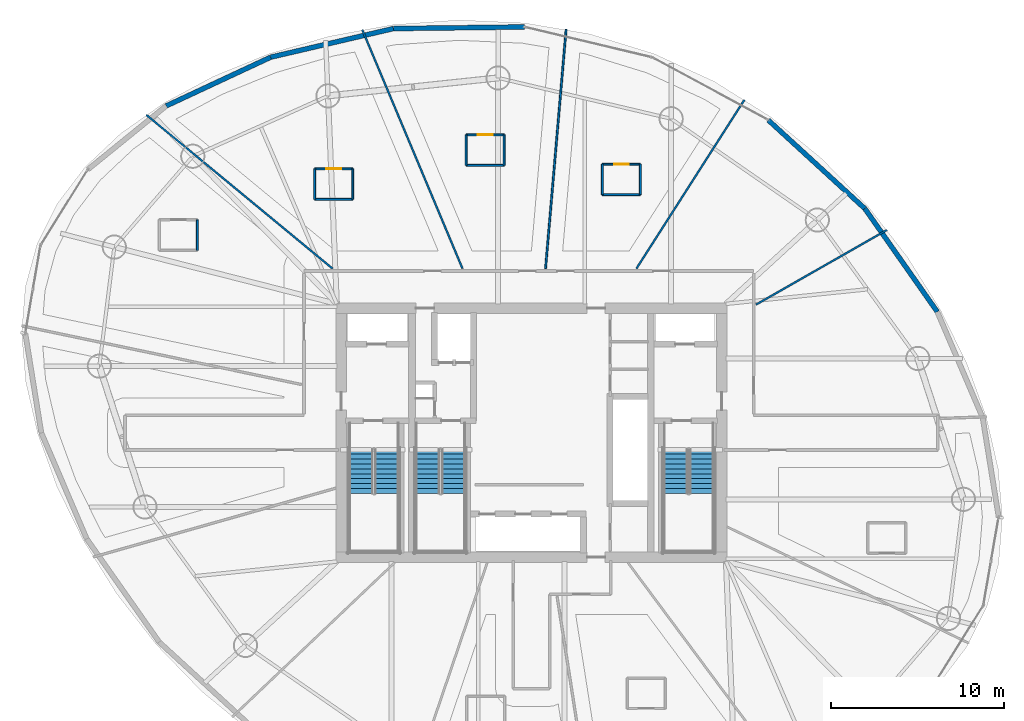
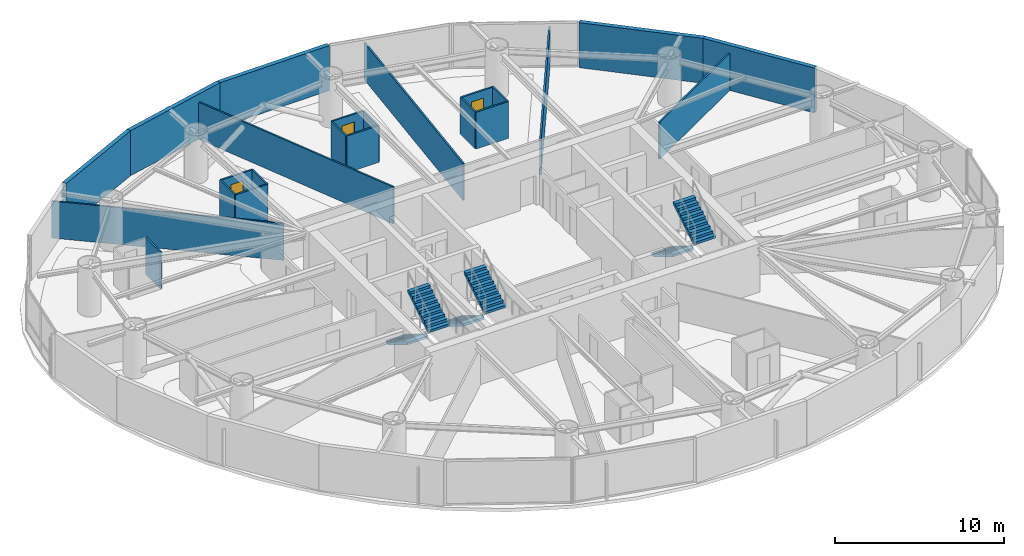
# One storey, part 18 of 22: 23 walls, 6 stair flights, 3 doors, 3 openings, 3 elements without a shape of their own.
"""IFC4 building model written with IfcOpenShell, lengths in metres."""

from ifc_helpers import new_model, si_unit, direction, frame, frame_2d, origin, place, context, subcontext, project, spatial, polyline, rectangle, outline, extrude, material, layer, layer_set, type_object, element, fill, aggregate, save


model = new_model("IFC4")

# Units and contexts
model_context = context("Model", 3, precision=1e-05, world=origin(), true_north=direction((0.0, 1.0)))
body_context = subcontext(model_context, "Body", "Model", "MODEL_VIEW")
ifc_project = project(units=[si_unit("LENGTHUNIT", "METRE"), si_unit("AREAUNIT", "SQUARE_METRE"), si_unit("VOLUMEUNIT", "CUBIC_METRE"), si_unit("PLANEANGLEUNIT", "RADIAN"), si_unit("MASSUNIT", "GRAM", prefix="KILO")], contexts=[model_context])

# Site, building, storey
site_placement = place(None, origin())
site = spatial("IfcSite", under=ifc_project, at=site_placement, CompositionType="ELEMENT")
building_placement = place(site_placement, origin())
building = spatial("IfcBuilding", under=site, at=building_placement, Name="Bramvorn Convention Spire", CompositionType="ELEMENT")
storey_placement = place(building_placement, frame((0.0, 0.0, 116.800048828125)))
storey = spatial("IfcBuildingStorey", under=building, at=storey_placement, Name="L28", CompositionType="ELEMENT", Elevation=116.800048828125)

# Walls
ifc_material_1 = material(Name="Precast Concrete C40/50 with Bronze Terracotta Rainscreen", Category="masonry")
ifc_layer_1 = layer(ifc_material_1, 0.300048828125)
ifc_layer_set_1 = layer_set([ifc_layer_1], Name="Precast Concrete C40/50 with Bronze Terracotta Rainscreen - WL-EXT-BRONZE-300")
wall_type_1 = type_object("IfcWallType", Name="WL-EXT-BRONZE-300", PredefinedType="SOLIDWALL", material=ifc_layer_set_1)
wall_1_placement = place(storey_placement, frame((57.281982421875, 38.960205078125, 0.0), z_axis=(0.0, 0.0, 1.0), x_axis=(0.574634715728, -0.818410009396, 0.0)))
element("IfcWall", 1, at=wall_1_placement, inside=storey, type_object=wall_type_1, Name="L28 expressed bronze Gothic lancet pier wall 04", PredefinedType="SOLIDWALL", context=body_context, shape_type="SweptSolid", body=[
    extrude(rectangle(XDim=7.2919921875, YDim=0.280029296875, at=frame_2d((3.64599609375, 0.0))), origin(), (0.0, 0.0, 1.0), 3.260009765625),
])
for number, where, z_axis, x_axis, name in (
    (2, (51.701416015625, 44.07373046875, 0.0), (0.0, 0.0, 1.0), (0.737285337307, -0.675581476502, 0.0), "L28 expressed bronze Gothic lancet pier wall 05"),
    (3, (30.02197265625, 49.36962890625, 0.0), (0.0, 0.0, 1.0), (0.999925278026, 0.012224498577, 0.0), "L28 expressed bronze Gothic lancet pier wall 08"),
):
    element("IfcWall", number, at=place(storey_placement, frame(where, z_axis=z_axis, x_axis=x_axis)), inside=storey, type_object=wall_type_1, Name=name, PredefinedType="SOLIDWALL", context=body_context, shape_type="SweptSolid", body=[
        extrude(rectangle(XDim=7.569091796875, YDim=0.280029296875, at=frame_2d((3.78466796875, 0.0))), origin(), (0.0, 0.0, 1.0), 3.260009765625),
    ])
wall_2_placement = place(storey_placement, frame((22.920654296875, 47.7138671875, 0.0), z_axis=(0.0, 0.0, 1.0), x_axis=(0.97387799493, 0.227071907093, 0.0)))
element("IfcWall", 4, at=wall_2_placement, inside=storey, type_object=wall_type_1, Name="L28 expressed bronze Gothic lancet pier wall 09", PredefinedType="SOLIDWALL", context=body_context, shape_type="SweptSolid", body=[
    extrude(rectangle(XDim=7.291748046875, YDim=0.280029296875, at=frame_2d((3.64599609375, 0.0))), origin(), (0.0, 0.0, 1.0), 3.260009765625),
])
wall_3_placement = place(storey_placement, frame((16.880615234375, 44.895751953125, 0.0), z_axis=(0.0, 0.0, 1.0), x_axis=(0.906215890007, 0.422815279642, 0.0)))
element("IfcWall", 5, at=wall_3_placement, inside=storey, type_object=wall_type_1, Name="L28 expressed bronze Gothic lancet pier wall 10", PredefinedType="SOLIDWALL", context=body_context, shape_type="SweptSolid", body=[
    extrude(rectangle(XDim=6.6650390625, YDim=0.280029296875, at=frame_2d((3.33251953125, 0.0))), origin(), (0.0, 0.0, 1.0), 3.260009765625),
])
ifc_material_2 = material(Name="Lightweight En-Suite & Wet-Wall Partition", Category="gypsum")
ifc_layer_2 = layer(ifc_material_2, 0.110107421875)
ifc_layer_set_2 = layer_set([ifc_layer_2], Name="Lightweight En-Suite & Wet-Wall Partition - WL-PART-110")
wall_type_2 = type_object("IfcWallType", Name="WL-PART-110", PredefinedType="PARTITIONING", material=ifc_layer_set_2)
wall_4_placement = place(storey_placement, frame((50.989990234375, 33.406982421875, 0.0), z_axis=(0.0, 0.0, 1.0), x_axis=(0.868694051494, 0.495349013221, 0.0)))
element("IfcWall", 6, at=wall_4_placement, inside=storey, type_object=wall_type_2, Name="L28 Guestroom demising wall 2", PredefinedType="PARTITIONING", context=body_context, shape_type="SweptSolid", body=[
    extrude(rectangle(XDim=8.72265625, YDim=0.110107421875, at=frame_2d((4.361328125, 0.0))), origin(), (0.0, 0.0, 1.0), 2.675048828125),
])
wall_5_placement = place(storey_placement, frame((44.07275390625, 35.489990234375, 0.0), z_axis=(0.0, 0.0, 1.0), x_axis=(0.538998120289, 0.842306966803, 0.0)))
element("IfcWall", 7, at=wall_5_placement, inside=storey, type_object=wall_type_2, Name="L28 Guestroom demising wall 3", PredefinedType="PARTITIONING", context=body_context, shape_type="SweptSolid", body=[
    extrude(rectangle(XDim=11.59326171875, YDim=0.110107421875, at=frame_2d((5.796630859375, 0.0))), origin(), (0.0, 0.0, 1.0), 2.675048828125),
])
wall_6_placement = place(storey_placement, frame((38.8173828125, 35.489990234375, 0.0), z_axis=(0.0, 0.0, 1.0), x_axis=(0.085823630401, 0.996310345457, 0.0)))
element("IfcWall", 8, at=wall_6_placement, inside=storey, type_object=wall_type_2, Name="L28 Guestroom demising wall 4", PredefinedType="PARTITIONING", context=body_context, shape_type="SweptSolid", body=[
    extrude(rectangle(XDim=13.882080078125, YDim=0.110107421875, at=frame_2d((6.94091796875, 0.0))), origin(), (0.0, 0.0, 1.0), 2.675048828125),
])
wall_7_placement = place(storey_placement, frame((34.016845703125, 35.489990234375, 0.0), z_axis=(0.0, 0.0, 1.0), x_axis=(-0.387024405225, 0.922069471222, 0.0)))
element("IfcWall", 9, at=wall_7_placement, inside=storey, type_object=wall_type_2, Name="L28 Guestroom demising wall 5", PredefinedType="PARTITIONING", context=body_context, shape_type="SweptSolid", body=[
    extrude(rectangle(XDim=14.981201171875, YDim=0.110107421875, at=frame_2d((7.49072265625, 0.0))), origin(), (0.0, 0.0, 1.0), 2.675048828125),
])
wall_8_placement = place(storey_placement, frame((26.50341796875, 35.489990234375, 0.0), z_axis=(0.0, 0.0, 1.0), x_axis=(-0.771199330671, 0.636593742015, 0.0)))
element("IfcWall", 10, at=wall_8_placement, inside=storey, type_object=wall_type_2, Name="L28 Guestroom demising wall 6", PredefinedType="PARTITIONING", context=body_context, shape_type="SweptSolid", body=[
    extrude(rectangle(XDim=13.97119140625, YDim=0.110107421875, at=frame_2d((6.985595703125, 0.0))), origin(), (0.0, 0.0, 1.0), 2.675048828125),
])
wall_9_placement = place(storey_placement, frame((42.106689453125, 39.765625, 0.0), z_axis=(0.0, 0.0, 1.0), x_axis=(1.0, 0.0, 0.0)))
element("IfcWall", 11, at=wall_9_placement, inside=storey, type_object=wall_type_2, Name="Hotel Suite 2803 en-suite south wall", PredefinedType="PARTITIONING", context=body_context, shape_type="SweptSolid", body=[
    extrude(rectangle(XDim=2.199951171875, YDim=0.110107421875, at=frame_2d((1.10009765625, 0.0))), origin(), (0.0, 0.0, 1.0), 2.675048828125),
])

# Wall, opening, door
wall_10_placement = place(storey_placement, frame((42.106689453125, 41.525634765625, 0.0), z_axis=(0.0, 0.0, 1.0), x_axis=(1.0, 0.0, 0.0)))
wall_10 = element("IfcWall", 12, at=wall_10_placement, inside=storey, type_object=wall_type_2, Name="Hotel Suite 2803 en-suite north wall", PredefinedType="PARTITIONING", context=body_context, shape_type="SweptSolid", body=[
    extrude(rectangle(XDim=2.199951171875, YDim=0.110107421875, at=frame_2d((1.10009765625, 0.0))), origin(), (0.0, 0.0, 1.0), 2.675048828125),
])
opening_1_placement = place(wall_10_placement, frame((0.679931640625, 0.0, 0.0)))
opening_1 = element("IfcOpeningElement", 13, at=opening_1_placement, cuts=wall_10, Name="Opening DI-085", PredefinedType="OPENING", context=body_context, shape_type="SweptSolid", body=[
    extrude(rectangle(XDim=0.85009765625, YDim=2.10009765625, at=frame_2d((0.425048828125, 1.050048828125))), frame((0.0, 0.06494140625, 0.0), z_axis=(0.0, -1.0, 0.0), x_axis=(1.0, 0.0, 0.0)), (0.0, 0.0, 1.0), 0.130126953125),
])
ifc_material_3 = material(Name="En-Suite & Restroom Privacy Door", Category="wood")
door_type = type_object("IfcDoorType", Name="DR-INT-850", OperationType="NOTDEFINED", PredefinedType="DOOR", material=ifc_material_3)
door_1_placement = place(opening_1_placement, origin())
door_1 = element("IfcDoor", 14, at=door_1_placement, inside=storey, type_object=door_type, Name="Hotel Suite 2803 En-Suite Bathroom door", OperationType="SINGLE_SWING_LEFT", OverallHeight=2.10009765625, OverallWidth=0.85009765625, PredefinedType="DOOR", context=body_context, shape_type="SweptSolid", body=[
    extrude(rectangle(XDim=0.85009765625, YDim=2.10009765625, at=frame_2d((0.425048828125, 1.050048828125))), frame((0.0, 0.02490234375, 0.0), z_axis=(0.0, -1.0, 0.0), x_axis=(1.0, 0.0, 0.0)), (0.0, 0.0, 1.0), 0.050048828125),
])
fill(opening_1, door_1)

# Walls
for number, where, z_axis, x_axis, name in (
    (15, (42.106689453125, 39.765625, 0.0), (0.0, 0.0, 1.0), (0.0, 1.0, 0.0), "Hotel Suite 2803 en-suite west wall"),
    (16, (44.306640625, 39.765625, 0.0), (0.0, 0.0, 1.0), (0.0, 1.0, 0.0), "Hotel Suite 2803 en-suite east wall"),
):
    element("IfcWall", number, at=place(storey_placement, frame(where, z_axis=z_axis, x_axis=x_axis)), inside=storey, type_object=wall_type_2, Name=name, PredefinedType="PARTITIONING", context=body_context, shape_type="SweptSolid", body=[
        extrude(rectangle(XDim=1.760009765625, YDim=0.110107421875, at=frame_2d((0.8798828125, 0.0))), origin(), (0.0, 0.0, 1.0), 2.675048828125),
    ])
wall_11_placement = place(storey_placement, frame((34.22265625, 41.4619140625, 0.0), z_axis=(0.0, 0.0, 1.0), x_axis=(1.0, 0.0, 0.0)))
element("IfcWall", 17, at=wall_11_placement, inside=storey, type_object=wall_type_2, Name="Hotel Suite 2804 en-suite south wall", PredefinedType="PARTITIONING", context=body_context, shape_type="SweptSolid", body=[
    extrude(rectangle(XDim=2.199951171875, YDim=0.110107421875, at=frame_2d((1.10009765625, 0.0))), origin(), (0.0, 0.0, 1.0), 2.675048828125),
])

# Wall, opening, door
wall_12_placement = place(storey_placement, frame((34.22265625, 43.2216796875, 0.0), z_axis=(0.0, 0.0, 1.0), x_axis=(1.0, 0.0, 0.0)))
wall_12 = element("IfcWall", 18, at=wall_12_placement, inside=storey, type_object=wall_type_2, Name="Hotel Suite 2804 en-suite north wall", PredefinedType="PARTITIONING", context=body_context, shape_type="SweptSolid", body=[
    extrude(rectangle(XDim=2.199951171875, YDim=0.110107421875, at=frame_2d((1.10009765625, 0.0))), origin(), (0.0, 0.0, 1.0), 2.675048828125),
])
opening_2_placement = place(wall_12_placement, frame((0.679931640625, 0.0, 0.0)))
opening_2 = element("IfcOpeningElement", 19, at=opening_2_placement, cuts=wall_12, Name="Opening DI-085", PredefinedType="OPENING", context=body_context, shape_type="SweptSolid", body=[
    extrude(rectangle(XDim=0.85009765625, YDim=2.10009765625, at=frame_2d((0.425048828125, 1.050048828125))), frame((0.0, 0.06494140625, 0.0), z_axis=(0.0, -1.0, 0.0), x_axis=(1.0, 0.0, 0.0)), (0.0, 0.0, 1.0), 0.130126953125),
])
door_2_placement = place(opening_2_placement, origin())
door_2 = element("IfcDoor", 20, at=door_2_placement, inside=storey, type_object=door_type, Name="Hotel Suite 2804 En-Suite Bathroom door", OperationType="SINGLE_SWING_LEFT", OverallHeight=2.10009765625, OverallWidth=0.85009765625, PredefinedType="DOOR", context=body_context, shape_type="SweptSolid", body=[
    extrude(rectangle(XDim=0.85009765625, YDim=2.10009765625, at=frame_2d((0.425048828125, 1.050048828125))), frame((0.0, 0.02490234375, 0.0), z_axis=(0.0, -1.0, 0.0), x_axis=(1.0, 0.0, 0.0)), (0.0, 0.0, 1.0), 0.050048828125),
])
fill(opening_2, door_2)

# Walls
for number, where, z_axis, x_axis, name in (
    (21, (34.22265625, 41.4619140625, 0.0), (0.0, 0.0, 1.0), (0.0, 1.0, 0.0), "Hotel Suite 2804 en-suite west wall"),
    (22, (36.422607421875, 41.4619140625, 0.0), (0.0, 0.0, 1.0), (0.0, 1.0, 0.0), "Hotel Suite 2804 en-suite east wall"),
):
    element("IfcWall", number, at=place(storey_placement, frame(where, z_axis=z_axis, x_axis=x_axis)), inside=storey, type_object=wall_type_2, Name=name, PredefinedType="PARTITIONING", context=body_context, shape_type="SweptSolid", body=[
        extrude(rectangle(XDim=1.759765625, YDim=0.110107421875, at=frame_2d((0.8798828125, 0.0))), origin(), (0.0, 0.0, 1.0), 2.675048828125),
    ])
wall_13_placement = place(storey_placement, frame((25.467529296875, 39.4951171875, 0.0), z_axis=(0.0, 0.0, 1.0), x_axis=(1.0, 0.0, 0.0)))
element("IfcWall", 23, at=wall_13_placement, inside=storey, type_object=wall_type_2, Name="Hotel Suite 2805 en-suite south wall", PredefinedType="PARTITIONING", context=body_context, shape_type="SweptSolid", body=[
    extrude(rectangle(XDim=2.199951171875, YDim=0.110107421875, at=frame_2d((1.10009765625, 0.0))), origin(), (0.0, 0.0, 1.0), 2.675048828125),
])

# Wall, opening, door
wall_14_placement = place(storey_placement, frame((25.467529296875, 41.255126953125, 0.0), z_axis=(0.0, 0.0, 1.0), x_axis=(1.0, 0.0, 0.0)))
wall_14 = element("IfcWall", 24, at=wall_14_placement, inside=storey, type_object=wall_type_2, Name="Hotel Suite 2805 en-suite north wall", PredefinedType="PARTITIONING", context=body_context, shape_type="SweptSolid", body=[
    extrude(rectangle(XDim=2.199951171875, YDim=0.110107421875, at=frame_2d((1.10009765625, 0.0))), origin(), (0.0, 0.0, 1.0), 2.675048828125),
])
opening_3_placement = place(wall_14_placement, frame((0.679931640625, 0.0, 0.0)))
opening_3 = element("IfcOpeningElement", 25, at=opening_3_placement, cuts=wall_14, Name="Opening DI-085", PredefinedType="OPENING", context=body_context, shape_type="SweptSolid", body=[
    extrude(rectangle(XDim=0.85009765625, YDim=2.10009765625, at=frame_2d((0.425048828125, 1.050048828125))), frame((0.0, 0.06494140625, 0.0), z_axis=(0.0, -1.0, 0.0), x_axis=(1.0, 0.0, 0.0)), (0.0, 0.0, 1.0), 0.130126953125),
])
door_3_placement = place(opening_3_placement, origin())
door_3 = element("IfcDoor", 26, at=door_3_placement, inside=storey, type_object=door_type, Name="Hotel Suite 2805 En-Suite Bathroom door", OperationType="SINGLE_SWING_LEFT", OverallHeight=2.10009765625, OverallWidth=0.85009765625, PredefinedType="DOOR", context=body_context, shape_type="SweptSolid", body=[
    extrude(rectangle(XDim=0.85009765625, YDim=2.10009765625, at=frame_2d((0.425048828125, 1.050048828125))), frame((0.0, 0.02490234375, 0.0), z_axis=(0.0, -1.0, 0.0), x_axis=(1.0, 0.0, 0.0)), (0.0, 0.0, 1.0), 0.050048828125),
])
fill(opening_3, door_3)

# Walls
for number, where, z_axis, x_axis, name in (
    (27, (25.467529296875, 39.4951171875, 0.0), (0.0, 0.0, 1.0), (0.0, 1.0, 0.0), "Hotel Suite 2805 en-suite west wall"),
    (28, (27.66748046875, 39.4951171875, 0.0), (0.0, 0.0, 1.0), (0.0, 1.0, 0.0), "Hotel Suite 2805 en-suite east wall"),
):
    element("IfcWall", number, at=place(storey_placement, frame(where, z_axis=z_axis, x_axis=x_axis)), inside=storey, type_object=wall_type_2, Name=name, PredefinedType="PARTITIONING", context=body_context, shape_type="SweptSolid", body=[
        extrude(rectangle(XDim=1.760009765625, YDim=0.110107421875, at=frame_2d((0.8798828125, 0.0))), origin(), (0.0, 0.0, 1.0), 2.675048828125),
    ])
wall_15_placement = place(storey_placement, frame((18.684326171875, 36.54931640625, 0.0), z_axis=(0.0, 0.0, 1.0), x_axis=(0.0, 1.0, 0.0)))
element("IfcWall", 29, at=wall_15_placement, inside=storey, type_object=wall_type_2, Name="Hotel Suite 2806 en-suite east wall", PredefinedType="PARTITIONING", context=body_context, shape_type="SweptSolid", body=[
    extrude(rectangle(XDim=1.759765625, YDim=0.110107421875, at=frame_2d((0.8798828125, 0.0))), origin(), (0.0, 0.0, 1.0), 2.675048828125),
])

# Stair, stair flights
ifc_material_4 = material(Name="Concrete C40/50 Precast Stair", Category="concrete")
stair_type = type_object("IfcStairType", Name="ST-TOWER-1550", PredefinedType="HALF_TURN_STAIR", material=ifc_material_4)
stair_1_placement = place(storey_placement, origin())
stair_1 = element("IfcStair", 30, at=stair_1_placement, inside=storey, type_object=stair_type, Name="L28 Protected Exit Stair ST1", PredefinedType="HALF_TURN_STAIR")
ifc_material_5 = material(Name="Concrete C40/50 Precast Stair Flight", Category="concrete")
stair_flight_type = type_object("IfcStairFlightType", Name="STF-TOWER-1550", PredefinedType="STRAIGHT", material=ifc_material_5)
stair_flight_1_placement = place(storey_placement, frame((28.155029296875, 25.050048828125, 0.0), z_axis=(0.0, 0.0, 1.0), x_axis=(0.0, -1.0, 0.0)))
stair_flight_1 = element("IfcStairFlight", 31, at=stair_flight_1_placement, type_object=stair_flight_type, Name="ST1 flight 1", NumberOfRisers=10, NumberOfTreads=9, PredefinedType="STRAIGHT", RiserHeight=0.175, TreadLength=0.285, context=body_context, shape_type="SweptSolid", body=[
    extrude(outline(polyline([(0.0, 0.0), (0.0, 0.175048828125), (0.284912109375, 0.175048828125), (0.284912109375, 0.35009765625), (0.570068359375, 0.35009765625), (0.570068359375, 0.52490234375), (0.85498046875, 0.52490234375), (0.85498046875, 0.699951171875), (1.139892578125, 0.699951171875), (1.139892578125, 0.875), (1.425048828125, 0.875), (1.425048828125, 1.050048828125), (1.7099609375, 1.050048828125), (1.7099609375, 1.22509765625), (1.9951171875, 1.22509765625), (1.9951171875, 1.39990234375), (2.280029296875, 1.39990234375), (2.280029296875, 1.574951171875), (2.56494140625, 1.574951171875), (2.56494140625, 1.75), (2.56494140625, 1.399169921875), (0.286376953125, 0.0), (0.0, 0.0)])), frame((0.0, 0.705078125, 0.0), z_axis=(0.0, -1.0, 0.0), x_axis=(1.0, 0.0, 0.0)), (0.0, 0.0, 1.0), 1.409912109375),
])
stair_flight_2_placement = place(storey_placement, frame((29.64501953125, 22.485107421875, 1.75), z_axis=(0.0, 0.0, 1.0), x_axis=(0.0, 1.0, 0.0)))
stair_flight_2 = element("IfcStairFlight", 32, at=stair_flight_2_placement, type_object=stair_flight_type, Name="ST1 flight 2", NumberOfRisers=10, NumberOfTreads=9, PredefinedType="STRAIGHT", RiserHeight=0.175, TreadLength=0.285, context=body_context, shape_type="SweptSolid", body=[
    extrude(outline(polyline([(0.0, 0.0), (0.0, 0.175048828125), (0.284912109375, 0.175048828125), (0.284912109375, 0.35009765625), (0.570068359375, 0.35009765625), (0.570068359375, 0.52490234375), (0.85498046875, 0.52490234375), (0.85498046875, 0.699951171875), (1.139892578125, 0.699951171875), (1.139892578125, 0.875), (1.425048828125, 0.875), (1.425048828125, 1.050048828125), (1.7099609375, 1.050048828125), (1.7099609375, 1.22509765625), (1.9951171875, 1.22509765625), (1.9951171875, 1.39990234375), (2.280029296875, 1.39990234375), (2.280029296875, 1.574951171875), (2.56494140625, 1.574951171875), (2.56494140625, 1.75), (2.56494140625, 1.399169921875), (0.286376953125, 0.0), (0.0, 0.0)])), frame((0.0, 0.705078125, 0.0), z_axis=(0.0, -1.0, 0.0), x_axis=(1.0, 0.0, 0.0)), (0.0, 0.0, 1.0), 1.409912109375),
])
aggregate(stair_1, [stair_flight_1, stair_flight_2])

stair_2_placement = place(storey_placement, origin())
stair_2 = element("IfcStair", 33, at=stair_2_placement, inside=storey, type_object=stair_type, Name="L28 Protected Exit Stair ST2", PredefinedType="HALF_TURN_STAIR")
stair_flight_3_placement = place(storey_placement, frame((46.35498046875, 25.050048828125, 0.0), z_axis=(0.0, 0.0, 1.0), x_axis=(0.0, -1.0, 0.0)))
stair_flight_3 = element("IfcStairFlight", 34, at=stair_flight_3_placement, type_object=stair_flight_type, Name="ST2 flight 1", NumberOfRisers=10, NumberOfTreads=9, PredefinedType="STRAIGHT", RiserHeight=0.175, TreadLength=0.285, context=body_context, shape_type="SweptSolid", body=[
    extrude(outline(polyline([(0.0, 0.0), (0.0, 0.175048828125), (0.284912109375, 0.175048828125), (0.284912109375, 0.35009765625), (0.570068359375, 0.35009765625), (0.570068359375, 0.52490234375), (0.85498046875, 0.52490234375), (0.85498046875, 0.699951171875), (1.139892578125, 0.699951171875), (1.139892578125, 0.875), (1.425048828125, 0.875), (1.425048828125, 1.050048828125), (1.7099609375, 1.050048828125), (1.7099609375, 1.22509765625), (1.9951171875, 1.22509765625), (1.9951171875, 1.39990234375), (2.280029296875, 1.39990234375), (2.280029296875, 1.574951171875), (2.56494140625, 1.574951171875), (2.56494140625, 1.75), (2.56494140625, 1.399169921875), (0.286376953125, 0.0), (0.0, 0.0)])), frame((0.0, 0.705078125, 0.0), z_axis=(0.0, -1.0, 0.0), x_axis=(1.0, 0.0, 0.0)), (0.0, 0.0, 1.0), 1.409912109375),
])
stair_flight_4_placement = place(storey_placement, frame((47.844970703125, 22.485107421875, 1.75), z_axis=(0.0, 0.0, 1.0), x_axis=(0.0, 1.0, 0.0)))
stair_flight_4 = element("IfcStairFlight", 35, at=stair_flight_4_placement, type_object=stair_flight_type, Name="ST2 flight 2", NumberOfRisers=10, NumberOfTreads=9, PredefinedType="STRAIGHT", RiserHeight=0.175, TreadLength=0.285, context=body_context, shape_type="SweptSolid", body=[
    extrude(outline(polyline([(0.0, 0.0), (0.0, 0.175048828125), (0.284912109375, 0.175048828125), (0.284912109375, 0.35009765625), (0.570068359375, 0.35009765625), (0.570068359375, 0.52490234375), (0.85498046875, 0.52490234375), (0.85498046875, 0.699951171875), (1.139892578125, 0.699951171875), (1.139892578125, 0.875), (1.425048828125, 0.875), (1.425048828125, 1.050048828125), (1.7099609375, 1.050048828125), (1.7099609375, 1.22509765625), (1.9951171875, 1.22509765625), (1.9951171875, 1.39990234375), (2.280029296875, 1.39990234375), (2.280029296875, 1.574951171875), (2.56494140625, 1.574951171875), (2.56494140625, 1.75), (2.56494140625, 1.399169921875), (0.286376953125, 0.0), (0.0, 0.0)])), frame((0.0, 0.705078125, 0.0), z_axis=(0.0, -1.0, 0.0), x_axis=(1.0, 0.0, 0.0)), (0.0, 0.0, 1.0), 1.409912109375),
])
aggregate(stair_2, [stair_flight_3, stair_flight_4])

stair_3_placement = place(storey_placement, origin())
stair_3 = element("IfcStair", 36, at=stair_3_placement, inside=storey, type_object=stair_type, Name="L28 Protected Exit Stair ST3", PredefinedType="HALF_TURN_STAIR")
stair_flight_5_placement = place(storey_placement, frame((32.0048828125, 25.050048828125, 0.0), z_axis=(0.0, 0.0, 1.0), x_axis=(0.0, -1.0, 0.0)))
stair_flight_5 = element("IfcStairFlight", 37, at=stair_flight_5_placement, type_object=stair_flight_type, Name="ST3 flight 1", NumberOfRisers=10, NumberOfTreads=9, PredefinedType="STRAIGHT", RiserHeight=0.175, TreadLength=0.285, context=body_context, shape_type="SweptSolid", body=[
    extrude(outline(polyline([(0.0, 0.0), (0.0, 0.175048828125), (0.284912109375, 0.175048828125), (0.284912109375, 0.35009765625), (0.570068359375, 0.35009765625), (0.570068359375, 0.52490234375), (0.85498046875, 0.52490234375), (0.85498046875, 0.699951171875), (1.139892578125, 0.699951171875), (1.139892578125, 0.875), (1.425048828125, 0.875), (1.425048828125, 1.050048828125), (1.7099609375, 1.050048828125), (1.7099609375, 1.22509765625), (1.9951171875, 1.22509765625), (1.9951171875, 1.39990234375), (2.280029296875, 1.39990234375), (2.280029296875, 1.574951171875), (2.56494140625, 1.574951171875), (2.56494140625, 1.75), (2.56494140625, 1.399169921875), (0.286376953125, 0.0), (0.0, 0.0)])), frame((0.0, 0.705078125, 0.0), z_axis=(0.0, -1.0, 0.0), x_axis=(1.0, 0.0, 0.0)), (0.0, 0.0, 1.0), 1.409912109375),
])
stair_flight_6_placement = place(storey_placement, frame((33.4951171875, 22.485107421875, 1.75), z_axis=(0.0, 0.0, 1.0), x_axis=(0.0, 1.0, 0.0)))
stair_flight_6 = element("IfcStairFlight", 38, at=stair_flight_6_placement, type_object=stair_flight_type, Name="ST3 flight 2", NumberOfRisers=10, NumberOfTreads=9, PredefinedType="STRAIGHT", RiserHeight=0.175, TreadLength=0.285, context=body_context, shape_type="SweptSolid", body=[
    extrude(outline(polyline([(0.0, 0.0), (0.0, 0.175048828125), (0.284912109375, 0.175048828125), (0.284912109375, 0.35009765625), (0.570068359375, 0.35009765625), (0.570068359375, 0.52490234375), (0.85498046875, 0.52490234375), (0.85498046875, 0.699951171875), (1.139892578125, 0.699951171875), (1.139892578125, 0.875), (1.425048828125, 0.875), (1.425048828125, 1.050048828125), (1.7099609375, 1.050048828125), (1.7099609375, 1.22509765625), (1.9951171875, 1.22509765625), (1.9951171875, 1.39990234375), (2.280029296875, 1.39990234375), (2.280029296875, 1.574951171875), (2.56494140625, 1.574951171875), (2.56494140625, 1.75), (2.56494140625, 1.399169921875), (0.286376953125, 0.0), (0.0, 0.0)])), frame((0.0, 0.705078125, 0.0), z_axis=(0.0, -1.0, 0.0), x_axis=(1.0, 0.0, 0.0)), (0.0, 0.0, 1.0), 1.409912109375),
])
aggregate(stair_3, [stair_flight_5, stair_flight_6])

save(model, "model.ifc")
